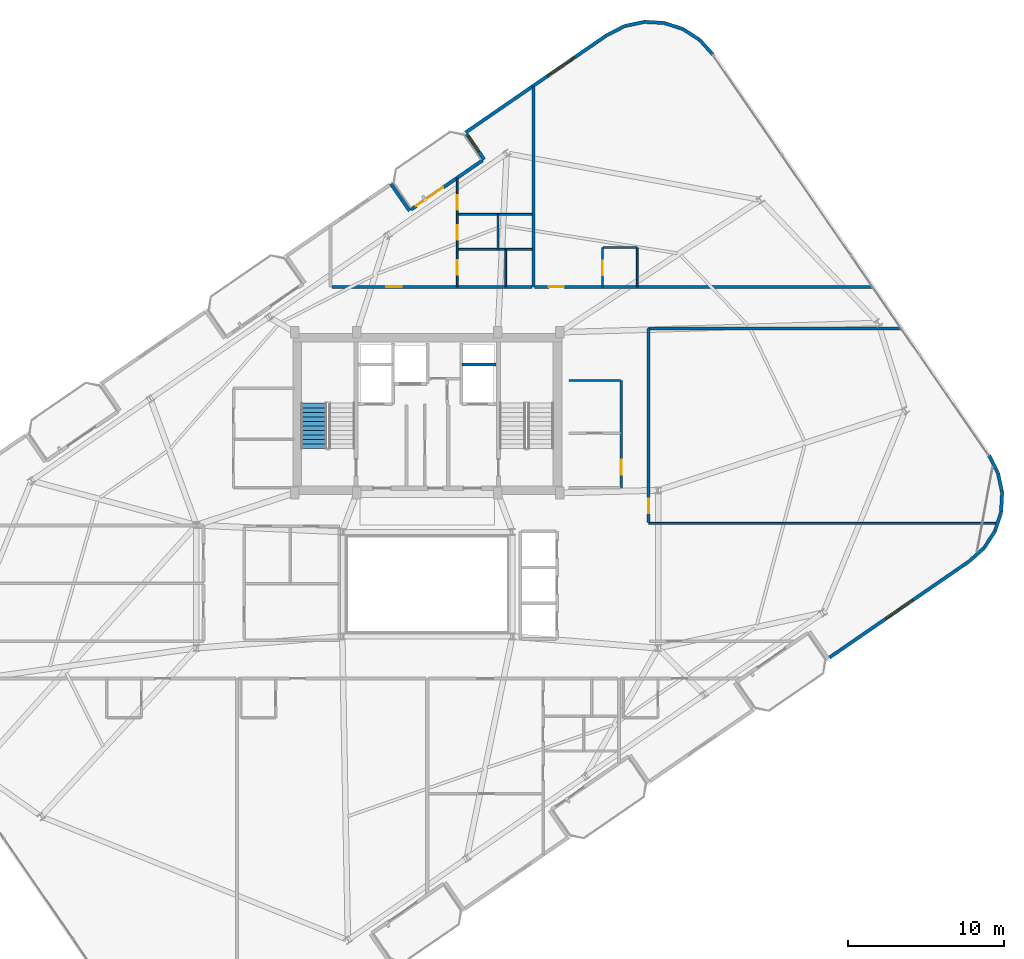
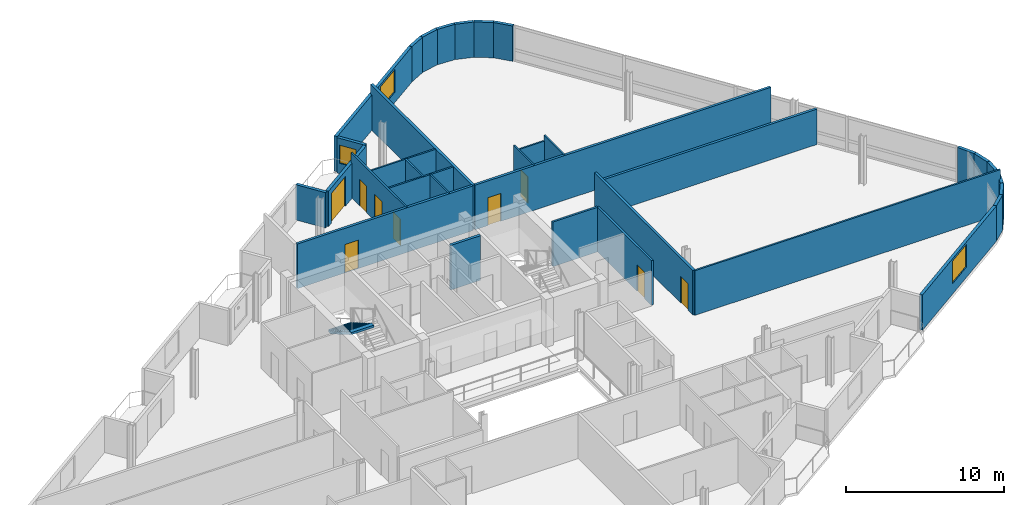
# One storey, part 19 of 23: 34 walls, 9 doors, 3 windows, 1 stair flight, 12 openings, 1 element without a shape of its own.
"""IFC4 building model written with IfcOpenShell, lengths in metres."""

from ifc_helpers import new_model, si_unit, direction, frame, frame_2d, origin, place, context, subcontext, project, spatial, polyline, rectangle, outline, extrude, material, layer, layer_set, type_object, element, fill, aggregate, save


model = new_model("IFC4")

# Units and contexts
model_context = context("Model", 3, precision=1e-05, world=origin(), true_north=direction((0.0, 1.0)))
body_context = subcontext(model_context, "Body", "Model", "MODEL_VIEW")
ifc_project = project(units=[si_unit("LENGTHUNIT", "METRE"), si_unit("AREAUNIT", "SQUARE_METRE"), si_unit("VOLUMEUNIT", "CUBIC_METRE"), si_unit("PLANEANGLEUNIT", "RADIAN"), si_unit("MASSUNIT", "GRAM", prefix="KILO")], contexts=[model_context])

# Site, building, storey
site_placement = place(None, origin())
site = spatial("IfcSite", under=ifc_project, at=site_placement, CompositionType="ELEMENT")
building_placement = place(site_placement, origin())
building = spatial("IfcBuilding", under=site, at=building_placement, Name="Varnelok Gate Tower", CompositionType="ELEMENT")
storey_placement = place(building_placement, frame((0.0, 0.0, 273.0)))
storey = spatial("IfcBuildingStorey", under=building, at=storey_placement, Name="L70", CompositionType="ELEMENT", Elevation=273.0)

# Wall, opening, door
ifc_material_1 = material(Name="Concrete C45/55", Category="concrete")
ifc_layer_1 = layer(ifc_material_1, 0.219970703125)
ifc_layer_set_1 = layer_set([ifc_layer_1], Name="Concrete C45/55")
wall_type_1 = type_object("IfcWallType", Name="EW-BALC-220", PredefinedType="SOLIDWALL", material=ifc_layer_set_1)
wall_1_placement = place(storey_placement, frame((38.15625, 46.91162109375, 0.0), z_axis=(0.0, 0.0, 1.0), x_axis=(0.823527178548, 0.567276816195, 0.0)))
wall_1 = element("IfcWall", 1, at=wall_1_placement, inside=storey, type_object=wall_type_1, Name="L70 North Terrace Envelope Wall 6", PredefinedType="SOLIDWALL", context=body_context, shape_type="SweptSolid", body=[
    extrude(rectangle(XDim=5.56689453125, YDim=0.219970703125, at=frame_2d((2.783447265625, 0.0))), origin(), (0.0, 0.0, 1.0), 2.72998046875),
])
opening_1_placement = place(wall_1_placement, frame((0.39990234375, 0.0, 0.0)))
opening_1 = element("IfcOpeningElement", 2, at=opening_1_placement, cuts=wall_1, Name="Opening BD-2", PredefinedType="OPENING", context=body_context, shape_type="SweptSolid", body=[
    extrude(rectangle(XDim=2.10009765625, YDim=2.300048828125, at=frame_2d((1.050048828125, 1.14990234375))), frame((0.0, 0.119873046875, 0.0), z_axis=(0.0, -1.0, 0.0), x_axis=(1.0, 0.0, 0.0)), (0.0, 0.0, 1.0), 0.239990234375),
])
ifc_material_2 = material(Name="Anodized Aluminum Alloy 6063-T6", Category="aluminium")
door_type_1 = type_object("IfcDoorType", Name="DR-EXT-SLID2100", OperationType="SLIDING_TO_LEFT", PredefinedType="DOOR", material=ifc_material_2)
door_1_placement = place(opening_1_placement, origin())
door_1 = element("IfcDoor", 3, at=door_1_placement, inside=storey, type_object=door_type_1, Name="L70 North Balcony Glazed Door 6", OperationType="SLIDING_TO_LEFT", OverallHeight=2.300048828125, OverallWidth=2.10009765625, PredefinedType="DOOR", context=body_context, shape_type="SweptSolid", body=[
    extrude(rectangle(XDim=2.10009765625, YDim=2.300048828125, at=frame_2d((1.050048828125, 1.14990234375))), frame((0.0, 0.02490234375, 0.0), z_axis=(0.0, -1.0, 0.0), x_axis=(1.0, 0.0, 0.0)), (0.0, 0.0, 1.0), 0.050048828125),
])
fill(opening_1, door_1)

# Wall, opening, window
wall_2_placement = place(storey_placement, frame((64.9921875, 18.197998046875, 0.0), z_axis=(0.0, 0.0, 1.0), x_axis=(0.823538117322, 0.56726093583, 0.0)))
wall_2 = element("IfcWall", 4, at=wall_2_placement, inside=storey, type_object=wall_type_1, Name="L70 Perimeter Facade Closure Wall 16", PredefinedType="SOLIDWALL", context=body_context, shape_type="SweptSolid", body=[
    extrude(rectangle(XDim=10.880126953125, YDim=0.219970703125, at=frame_2d((5.43994140625, 0.0))), origin(), (0.0, 0.0, 1.0), 2.72998046875),
])
opening_2_placement = place(wall_2_placement, frame((4.39013671875, 0.0, 0.800048828125)))
opening_2 = element("IfcOpeningElement", 5, at=opening_2_placement, cuts=wall_2, Name="Opening WN4", PredefinedType="OPENING", context=body_context, shape_type="SweptSolid", body=[
    extrude(rectangle(XDim=2.10009765625, YDim=1.75, at=frame_2d((1.050048828125, 0.875))), frame((0.0, 0.119873046875, 0.0), z_axis=(0.0, -1.0, 0.0), x_axis=(1.0, 0.0, 0.0)), (0.0, 0.0, 1.0), 0.239990234375),
])
ifc_material_3 = material(Name="Low-E Laminated Double Glazing IGU", Category="glass")
window_type_1 = type_object("IfcWindowType", Name="WN-SUI-2100", PartitioningType="SINGLE_PANEL", PredefinedType="WINDOW", material=ifc_material_3)
window_1_placement = place(opening_2_placement, origin())
window_1 = element("IfcWindow", 6, at=window_1_placement, inside=storey, type_object=window_type_1, Name="L70 Perimeter Vision Window 16", OverallHeight=1.75, OverallWidth=2.10009765625, PartitioningType="SINGLE_PANEL", PredefinedType="WINDOW", context=body_context, shape_type="SweptSolid", body=[
    extrude(rectangle(XDim=2.10009765625, YDim=1.75, at=frame_2d((1.050048828125, 0.875))), frame((0.0, 0.030029296875, 0.0), z_axis=(0.0, -1.0, 0.0), x_axis=(1.0, 0.0, 0.0)), (0.0, 0.0, 1.0), 0.06005859375),
])
fill(opening_2, window_1)

# Walls
wall_3_placement = place(storey_placement, frame((73.970947265625, 24.38671875, 0.0), z_axis=(0.0, 0.0, 1.0), x_axis=(0.742501517089, 0.669844382764, 0.0)))
element("IfcWall", 7, at=wall_3_placement, inside=storey, type_object=wall_type_1, Name="L70 Perimeter Facade Closure Wall 17", PredefinedType="SOLIDWALL", context=body_context, shape_type="SweptSolid", body=[
    extrude(rectangle(XDim=1.256591796875, YDim=0.219970703125, at=frame_2d((0.62841796875, 0.0))), origin(), (0.0, 0.0, 1.0), 2.72998046875),
])
wall_4_placement = place(storey_placement, frame((74.91748046875, 25.24951171875, 0.0), z_axis=(0.0, 0.0, 1.0), x_axis=(0.543778157277, 0.839229000731, 0.0)))
element("IfcWall", 8, at=wall_4_placement, inside=storey, type_object=wall_type_1, Name="L70 Perimeter Facade Closure Wall 18", PredefinedType="SOLIDWALL", context=body_context, shape_type="SweptSolid", body=[
    extrude(rectangle(XDim=1.24853515625, YDim=0.219970703125, at=frame_2d((0.624267578125, 0.0))), origin(), (0.0, 0.0, 1.0), 2.72998046875),
])
for number, where, z_axis, x_axis, name in (
    (9, (75.604248046875, 26.321044921875, 0.0), (0.0, 0.0, 1.0), (0.307945220076, 0.951404089455, 0.0), "L70 Perimeter Facade Closure Wall 19"),
    (10, (75.989990234375, 27.533935546875, 0.0), (0.0, 0.0, 1.0), (0.05141975041, 0.998677129641, 0.0), "L70 Perimeter Facade Closure Wall 20"),
    (11, (76.048828125, 28.805419921875, 0.0), (0.0, 0.0, 1.0), (-0.208808017511, 0.977956651301, 0.0), "L70 Perimeter Facade Closure Wall 21"),
    (12, (75.776611328125, 30.048828125, 0.0), (0.0, 0.0, 1.0), (-0.454938817534, 0.890522696118, 0.0), "L70 Perimeter Facade Closure Wall 22"),
):
    element("IfcWall", number, at=place(storey_placement, frame(where, z_axis=z_axis, x_axis=x_axis)), inside=storey, type_object=wall_type_1, Name=name, PredefinedType="SOLIDWALL", context=body_context, shape_type="SweptSolid", body=[
        extrude(rectangle(XDim=1.248779296875, YDim=0.219970703125, at=frame_2d((0.62451171875, 0.0))), origin(), (0.0, 0.0, 1.0), 2.72998046875),
    ])
wall_5_placement = place(storey_placement, frame((57.509765625, 56.85498046875, 0.0), z_axis=(0.0, 0.0, 1.0), x_axis=(-0.669853727156, 0.742493086982, 0.0)))
element("IfcWall", 13, at=wall_5_placement, inside=storey, type_object=wall_type_1, Name="L70 Perimeter Facade Closure Wall 23", PredefinedType="SOLIDWALL", context=body_context, shape_type="SweptSolid", body=[
    extrude(rectangle(XDim=1.27392578125, YDim=0.219970703125, at=frame_2d((0.636962890625, 0.0))), origin(), (0.0, 0.0, 1.0), 2.72998046875),
])
wall_6_placement = place(storey_placement, frame((56.635498046875, 57.814208984375, 0.0), z_axis=(0.0, 0.0, 1.0), x_axis=(-0.839229000731, 0.543778157277, 0.0)))
element("IfcWall", 14, at=wall_6_placement, inside=storey, type_object=wall_type_1, Name="L70 Perimeter Facade Closure Wall 24", PredefinedType="SOLIDWALL", context=body_context, shape_type="SweptSolid", body=[
    extrude(rectangle(XDim=1.24853515625, YDim=0.219970703125, at=frame_2d((0.624267578125, 0.0))), origin(), (0.0, 0.0, 1.0), 2.72998046875),
])
for number, where, z_axis, x_axis, name in (
    (15, (55.56396484375, 58.5009765625, 0.0), (0.0, 0.0, 1.0), (-0.951404089455, 0.307945220076, 0.0), "L70 Perimeter Facade Closure Wall 25"),
    (16, (54.35107421875, 58.88671875, 0.0), (0.0, 0.0, 1.0), (-0.998687150602, 0.051224752047, 0.0), "L70 Perimeter Facade Closure Wall 26"),
    (17, (53.07958984375, 58.945556640625, 0.0), (0.0, 0.0, 1.0), (-0.977956651301, -0.208808017511, 0.0), "L70 Perimeter Facade Closure Wall 27"),
):
    element("IfcWall", number, at=place(storey_placement, frame(where, z_axis=z_axis, x_axis=x_axis)), inside=storey, type_object=wall_type_1, Name=name, PredefinedType="SOLIDWALL", context=body_context, shape_type="SweptSolid", body=[
        extrude(rectangle(XDim=1.248779296875, YDim=0.219970703125, at=frame_2d((0.62451171875, 0.0))), origin(), (0.0, 0.0, 1.0), 2.72998046875),
    ])
wall_7_placement = place(storey_placement, frame((51.836181640625, 58.67333984375, 0.0), z_axis=(0.0, 0.0, 1.0), x_axis=(-0.890586847538, -0.454813222095, 0.0)))
element("IfcWall", 18, at=wall_7_placement, inside=storey, type_object=wall_type_1, Name="L70 Perimeter Facade Closure Wall 28", PredefinedType="SOLIDWALL", context=body_context, shape_type="SweptSolid", body=[
    extrude(rectangle(XDim=1.256591796875, YDim=0.219970703125, at=frame_2d((0.62841796875, 0.0))), origin(), (0.0, 0.0, 1.0), 2.72998046875),
])

# Wall, opening, window
wall_8_placement = place(storey_placement, frame((50.696533203125, 58.08740234375, 0.0), z_axis=(0.0, 0.0, 1.0), x_axis=(-0.823539455464, -0.567258993137, 0.0)))
wall_8 = element("IfcWall", 19, at=wall_8_placement, inside=storey, type_object=wall_type_1, Name="L70 Perimeter Facade Closure Wall 29", PredefinedType="SOLIDWALL", context=body_context, shape_type="SweptSolid", body=[
    extrude(rectangle(XDim=10.97998046875, YDim=0.219970703125, at=frame_2d((5.489990234375, 0.0))), origin(), (0.0, 0.0, 1.0), 2.72998046875),
])
opening_3_placement = place(wall_8_placement, frame((2.486328125, 0.0, 0.800048828125)))
opening_3 = element("IfcOpeningElement", 20, at=opening_3_placement, cuts=wall_8, Name="Opening WN4", PredefinedType="OPENING", context=body_context, shape_type="SweptSolid", body=[
    extrude(rectangle(XDim=2.10009765625, YDim=1.75, at=frame_2d((1.050048828125, 0.875))), frame((0.0, 0.119873046875, 0.0), z_axis=(0.0, -1.0, 0.0), x_axis=(1.0, 0.0, 0.0)), (0.0, 0.0, 1.0), 0.239990234375),
])
window_2_placement = place(opening_3_placement, origin())
window_2 = element("IfcWindow", 21, at=window_2_placement, inside=storey, type_object=window_type_1, Name="L70 Perimeter Vision Window 29", OverallHeight=1.75, OverallWidth=2.10009765625, PartitioningType="SINGLE_PANEL", PredefinedType="WINDOW", context=body_context, shape_type="SweptSolid", body=[
    extrude(rectangle(XDim=2.10009765625, YDim=1.75, at=frame_2d((1.050048828125, 0.875))), frame((0.0, 0.030029296875, 0.0), z_axis=(0.0, -1.0, 0.0), x_axis=(1.0, 0.0, 0.0)), (0.0, 0.0, 1.0), 0.06005859375),
])
fill(opening_3, window_2)

wall_9_placement = place(storey_placement, frame((41.724853515625, 51.755859375, 0.0), z_axis=(0.0, 0.0, 1.0), x_axis=(0.567273565974, -0.823529417415, 0.0)))
wall_9 = element("IfcWall", 22, at=wall_9_placement, inside=storey, type_object=wall_type_1, Name="L70 Perimeter Facade Closure Wall 30", PredefinedType="SOLIDWALL", context=body_context, shape_type="SweptSolid", body=[
    extrude(rectangle(XDim=1.97509765625, YDim=0.219970703125, at=frame_2d((0.987548828125, 0.0))), origin(), (0.0, 0.0, 1.0), 2.72998046875),
])
opening_4_placement = place(wall_9_placement, frame((0.199951171875, 0.0, 0.800048828125)))
opening_4 = element("IfcOpeningElement", 23, at=opening_4_placement, cuts=wall_9, Name="Opening WN8", PredefinedType="OPENING", context=body_context, shape_type="SweptSolid", body=[
    extrude(rectangle(XDim=1.14990234375, YDim=1.39990234375, at=frame_2d((0.574951171875, 0.699951171875))), frame((0.0, 0.119873046875, 0.0), z_axis=(0.0, -1.0, 0.0), x_axis=(1.0, 0.0, 0.0)), (0.0, 0.0, 1.0), 0.239990234375),
])
window_type_2 = type_object("IfcWindowType", Name="WN-BED-1150", PartitioningType="SINGLE_PANEL", PredefinedType="WINDOW", material=ifc_material_3)
window_3_placement = place(opening_4_placement, origin())
window_3 = element("IfcWindow", 24, at=window_3_placement, inside=storey, type_object=window_type_2, Name="L70 Bedroom Vision Window 50", OverallHeight=1.39990234375, OverallWidth=1.14990234375, PartitioningType="SINGLE_PANEL", PredefinedType="WINDOW", context=body_context, shape_type="SweptSolid", body=[
    extrude(rectangle(XDim=1.14990234375, YDim=1.39990234375, at=frame_2d((0.574951171875, 0.699951171875))), frame((0.0, 0.030029296875, 0.0), z_axis=(0.0, -1.0, 0.0), x_axis=(1.0, 0.0, 0.0)), (0.0, 0.0, 1.0), 0.06005859375),
])
fill(opening_4, window_3)

# Wall
wall_10_placement = place(storey_placement, frame((38.06298828125, 46.835205078125, 0.0), z_axis=(0.0, 0.0, 1.0), x_axis=(-0.567219383419, 0.823566737474, 0.0)))
element("IfcWall", 25, at=wall_10_placement, inside=storey, type_object=wall_type_1, Name="L70 Perimeter Facade Closure Wall 31", PredefinedType="SOLIDWALL", context=body_context, shape_type="SweptSolid", body=[
    extrude(rectangle(XDim=2.10009765625, YDim=0.219970703125, at=frame_2d((1.050048828125, 0.0))), origin(), (0.0, 0.0, 1.0), 2.72998046875),
])

# Wall, opening, door
ifc_material_4 = material(Name="Gypsum Plasterboard Acoustic Partition", Category="gypsum")
ifc_layer_2 = layer(ifc_material_4, 0.179931640625)
ifc_layer_set_2 = layer_set([ifc_layer_2], Name="Gypsum Plasterboard Acoustic Partition")
wall_type_2 = type_object("IfcWallType", Name="PW-CORR-180", PredefinedType="PARTITIONING", material=ifc_layer_set_2)
wall_11_placement = place(storey_placement, frame((33.080078125, 41.9599609375, 0.0), z_axis=(0.0, 0.0, 1.0), x_axis=(1.0, 0.0, 0.0)))
wall_11 = element("IfcWall", 26, at=wall_11_placement, inside=storey, type_object=wall_type_2, Name="Interior Partition", PredefinedType="PARTITIONING", context=body_context, shape_type="SweptSolid", body=[
    extrude(rectangle(XDim=12.83984375, YDim=0.179931640625, at=frame_2d((6.419921875, 0.0))), origin(), (0.0, 0.0, 1.0), 3.449951171875),
])
opening_5_placement = place(wall_11_placement, frame((3.485107421875, 0.0, 0.0)))
opening_5 = element("IfcOpeningElement", 27, at=opening_5_placement, cuts=wall_11, Name="Opening D-AP", PredefinedType="OPENING", context=body_context, shape_type="SweptSolid", body=[
    extrude(rectangle(XDim=1.0, YDim=2.199951171875, at=frame_2d((0.5, 1.10009765625))), frame((0.0, 0.099853515625, 0.0), z_axis=(0.0, -1.0, 0.0), x_axis=(1.0, 0.0, 0.0)), (0.0, 0.0, 1.0), 0.199951171875),
])
ifc_material_5 = material(Name="Engineered Hardwood Timber", Category="wood")
door_type_2 = type_object("IfcDoorType", Name="DR-APT-1000", OperationType="NOTDEFINED", PredefinedType="DOOR", material=ifc_material_5)
door_2_placement = place(opening_5_placement, origin())
door_2 = element("IfcDoor", 28, at=door_2_placement, inside=storey, type_object=door_type_2, Name="L70 North Apartment 6 Entrance Door", OperationType="SINGLE_SWING_RIGHT", OverallHeight=2.199951171875, OverallWidth=1.0, PredefinedType="DOOR", context=body_context, shape_type="SweptSolid", body=[
    extrude(rectangle(XDim=1.0, YDim=2.199951171875, at=frame_2d((0.5, 1.10009765625))), frame((0.0, 0.02490234375, 0.0), z_axis=(0.0, -1.0, 0.0), x_axis=(1.0, 0.0, 0.0)), (0.0, 0.0, 1.0), 0.050048828125),
])
fill(opening_5, door_2)

wall_12_placement = place(storey_placement, frame((46.080078125, 41.9599609375, 0.0), z_axis=(0.0, 0.0, 1.0), x_axis=(1.0, 0.0, 0.0)))
wall_12 = element("IfcWall", 29, at=wall_12_placement, inside=storey, type_object=wall_type_2, Name="Interior Partition", PredefinedType="PARTITIONING", context=body_context, shape_type="SweptSolid", body=[
    extrude(rectangle(XDim=21.626708984375, YDim=0.179931640625, at=frame_2d((10.8134765625, 0.0))), origin(), (0.0, 0.0, 1.0), 3.449951171875),
])
opening_6_placement = place(wall_12_placement, frame((0.921142578125, 0.0, 0.0)))
opening_6 = element("IfcOpeningElement", 30, at=opening_6_placement, cuts=wall_12, Name="Opening D-HT", PredefinedType="OPENING", context=body_context, shape_type="SweptSolid", body=[
    extrude(rectangle(XDim=0.949951171875, YDim=2.14990234375, at=frame_2d((0.47509765625, 1.074951171875))), frame((0.0, 0.099853515625, 0.0), z_axis=(0.0, -1.0, 0.0), x_axis=(1.0, 0.0, 0.0)), (0.0, 0.0, 1.0), 0.199951171875),
])
door_type_3 = type_object("IfcDoorType", Name="DR-HTL-950", OperationType="NOTDEFINED", PredefinedType="DOOR", material=ifc_material_5)
door_3_placement = place(opening_6_placement, origin())
door_3 = element("IfcDoor", 31, at=door_3_placement, inside=storey, type_object=door_type_3, Name="L70 Guest Room 07 Entrance Door", OperationType="SINGLE_SWING_RIGHT", OverallHeight=2.14990234375, OverallWidth=0.949951171875, PredefinedType="DOOR", context=body_context, shape_type="SweptSolid", body=[
    extrude(rectangle(XDim=0.949951171875, YDim=2.14990234375, at=frame_2d((0.47509765625, 1.074951171875))), frame((0.0, 0.02490234375, 0.0), z_axis=(0.0, -1.0, 0.0), x_axis=(1.0, 0.0, 0.0)), (0.0, 0.0, 1.0), 0.050048828125),
])
fill(opening_6, door_3)

wall_13_placement = place(storey_placement, frame((53.389892578125, 26.840087890625, 0.0), z_axis=(0.0, 0.0, 1.0), x_axis=(0.0, 1.0, 0.0)))
wall_13 = element("IfcWall", 32, at=wall_13_placement, inside=storey, type_object=wall_type_2, Name="Interior Partition", PredefinedType="PARTITIONING", context=body_context, shape_type="SweptSolid", body=[
    extrude(rectangle(XDim=12.4599609375, YDim=0.179931640625, at=frame_2d((6.22998046875, 0.0))), origin(), (0.0, 0.0, 1.0), 3.449951171875),
])
opening_7_placement = place(wall_13_placement, frame((0.6181640625, 0.0, 0.0)))
opening_7 = element("IfcOpeningElement", 33, at=opening_7_placement, cuts=wall_13, Name="Opening D-I3", PredefinedType="OPENING", context=body_context, shape_type="SweptSolid", body=[
    extrude(rectangle(XDim=0.919921875, YDim=2.050048828125, at=frame_2d((0.4599609375, 1.02490234375))), frame((0.0, 0.099853515625, 0.0), z_axis=(0.0, -1.0, 0.0), x_axis=(1.0, 0.0, 0.0)), (0.0, 0.0, 1.0), 0.199951171875),
])
door_type_4 = type_object("IfcDoorType", Name="DR-INT-920", OperationType="NOTDEFINED", PredefinedType="DOOR", material=ifc_material_5)
door_4_placement = place(opening_7_placement, origin())
door_4 = element("IfcDoor", 34, at=door_4_placement, inside=storey, type_object=door_type_4, Name="L70 East Playroom Door", OperationType="SINGLE_SWING_LEFT", OverallHeight=2.050048828125, OverallWidth=0.919921875, PredefinedType="DOOR", context=body_context, shape_type="SweptSolid", body=[
    extrude(rectangle(XDim=0.919921875, YDim=2.050048828125, at=frame_2d((0.4599609375, 1.02490234375))), frame((0.0, 0.02490234375, 0.0), z_axis=(0.0, -1.0, 0.0), x_axis=(1.0, 0.0, 0.0)), (0.0, 0.0, 1.0), 0.050048828125),
])
fill(opening_7, door_4)

# Walls
wall_14_placement = place(storey_placement, frame((53.389892578125, 39.300048828125, 0.0), z_axis=(0.0, 0.0, 1.0), x_axis=(1.0, 0.0, 0.0)))
element("IfcWall", 35, at=wall_14_placement, inside=storey, type_object=wall_type_2, Name="Interior Partition", PredefinedType="PARTITIONING", context=body_context, shape_type="SweptSolid", body=[
    extrude(rectangle(XDim=16.149169921875, YDim=0.179931640625, at=frame_2d((8.07470703125, 0.0))), origin(), (0.0, 0.0, 1.0), 2.739013671875),
])
ifc_layer_3 = layer(ifc_material_4, 0.114990234375)
ifc_layer_set_3 = layer_set([ifc_layer_3], Name="Gypsum Plasterboard Acoustic Partition")
wall_type_3 = type_object("IfcWallType", Name="PW-ENS-125", PredefinedType="PARTITIONING", material=ifc_layer_set_3)
wall_15_placement = place(storey_placement, frame((41.18994140625, 46.610107421875, 0.0), z_axis=(0.0, 0.0, 1.0), x_axis=(1.0, 0.0, 0.0)))
element("IfcWall", 36, at=wall_15_placement, inside=storey, type_object=wall_type_3, Name="Interior Partition", PredefinedType="PARTITIONING", context=body_context, shape_type="SweptSolid", body=[
    extrude(rectangle(XDim=4.72998046875, YDim=0.114990234375, at=frame_2d((2.364990234375, 0.0))), origin(), (0.0, 0.0, 1.0), 3.449951171875),
])
wall_16_placement = place(storey_placement, frame((43.72998046875, 44.3701171875, 0.0), z_axis=(0.0, 0.0, 1.0), x_axis=(0.0, 1.0, 0.0)))
element("IfcWall", 37, at=wall_16_placement, inside=storey, type_object=wall_type_3, Name="Interior Partition", PredefinedType="PARTITIONING", context=body_context, shape_type="SweptSolid", body=[
    extrude(rectangle(XDim=2.239990234375, YDim=0.114990234375, at=frame_2d((1.1201171875, 0.0))), origin(), (0.0, 0.0, 1.0), 3.449951171875),
])
wall_17_placement = place(storey_placement, frame((50.469970703125, 44.47998046875, 0.0), z_axis=(0.0, 0.0, 1.0), x_axis=(1.0, 0.0, 0.0)))
element("IfcWall", 38, at=wall_17_placement, inside=storey, type_object=wall_type_3, Name="Interior Partition", PredefinedType="PARTITIONING", context=body_context, shape_type="SweptSolid", body=[
    extrude(rectangle(XDim=2.150146484375, YDim=0.114990234375, at=frame_2d((1.0751953125, 0.0))), origin(), (0.0, 0.0, 1.0), 3.01806640625),
])

# Wall, opening, door
wall_18_placement = place(storey_placement, frame((50.429931640625, 41.9599609375, 0.0), z_axis=(0.0, 0.0, 1.0), x_axis=(0.0, 1.0, 0.0)))
wall_18 = element("IfcWall", 39, at=wall_18_placement, inside=storey, type_object=wall_type_3, Name="Interior Partition", PredefinedType="PARTITIONING", context=body_context, shape_type="SweptSolid", body=[
    extrude(rectangle(XDim=2.52001953125, YDim=0.114990234375, at=frame_2d((1.260009765625, 0.0))), origin(), (0.0, 0.0, 1.0), 3.449951171875),
])
opening_8_placement = place(wall_18_placement, frame((0.760009765625, 0.0, 0.0)))
opening_8 = element("IfcOpeningElement", 40, at=opening_8_placement, cuts=wall_18, Name="Opening D-WC", PredefinedType="OPENING", context=body_context, shape_type="SweptSolid", body=[
    extrude(rectangle(XDim=0.89990234375, YDim=2.050048828125, at=frame_2d((0.449951171875, 1.02490234375))), frame((0.0, 0.0673828125, 0.0), z_axis=(0.0, -1.0, 0.0), x_axis=(1.0, 0.0, 0.0)), (0.0, 0.0, 1.0), 0.135009765625),
])
door_type_5 = type_object("IfcDoorType", Name="DR-BATH-900", OperationType="NOTDEFINED", PredefinedType="DOOR", material=ifc_material_5)
door_5_placement = place(opening_8_placement, origin())
door_5 = element("IfcDoor", 41, at=door_5_placement, inside=storey, type_object=door_type_5, Name="L70 North En-Suite 07 Door", OperationType="SINGLE_SWING_LEFT", OverallHeight=2.050048828125, OverallWidth=0.89990234375, PredefinedType="DOOR", context=body_context, shape_type="SweptSolid", body=[
    extrude(rectangle(XDim=0.89990234375, YDim=2.050048828125, at=frame_2d((0.449951171875, 1.02490234375))), frame((0.0, 0.02490234375, 0.0), z_axis=(0.0, -1.0, 0.0), x_axis=(1.0, 0.0, 0.0)), (0.0, 0.0, 1.0), 0.050048828125),
])
fill(opening_8, door_5)

# Wall
wall_19_placement = place(storey_placement, frame((52.659912109375, 41.9599609375, 0.0), z_axis=(0.0, 0.0, 1.0), x_axis=(0.0, 1.0, 0.0)))
element("IfcWall", 42, at=wall_19_placement, inside=storey, type_object=wall_type_3, Name="Interior Partition", PredefinedType="PARTITIONING", context=body_context, shape_type="SweptSolid", body=[
    extrude(rectangle(XDim=2.52001953125, YDim=0.114990234375, at=frame_2d((1.260009765625, 0.0))), origin(), (0.0, 0.0, 1.0), 3.449951171875),
])

# Wall, openings, doors
ifc_layer_4 = layer(ifc_material_4, 0.125)
ifc_layer_set_4 = layer_set([ifc_layer_4], Name="Gypsum Plasterboard Acoustic Partition")
wall_type_4 = type_object("IfcWallType", Name="PW-PART-125", PredefinedType="PARTITIONING", material=ifc_layer_set_4)
wall_20_placement = place(storey_placement, frame((41.1201171875, 41.9599609375, 0.0), z_axis=(0.0, 0.0, 1.0), x_axis=(0.0, 1.0, 0.0)))
wall_20 = element("IfcWall", 43, at=wall_20_placement, inside=storey, type_object=wall_type_4, Name="Interior Partition", PredefinedType="PARTITIONING", context=body_context, shape_type="SweptSolid", body=[
    extrude(rectangle(XDim=6.956787109375, YDim=0.125, at=frame_2d((3.478515625, 0.0))), origin(), (0.0, 0.0, 1.0), 3.449951171875),
])
opening_9_placement = place(wall_20_placement, frame((0.785400390625, 0.0, 0.0)))
opening_9 = element("IfcOpeningElement", 44, at=opening_9_placement, cuts=wall_20, Name="Opening D-I3", PredefinedType="OPENING", context=body_context, shape_type="SweptSolid", body=[
    extrude(rectangle(XDim=0.919921875, YDim=2.050048828125, at=frame_2d((0.4599609375, 1.02490234375))), frame((0.0, 0.072509765625, 0.0), z_axis=(0.0, -1.0, 0.0), x_axis=(1.0, 0.0, 0.0)), (0.0, 0.0, 1.0), 0.14501953125),
])
opening_10_placement = place(wall_20_placement, frame((3.037353515625, 0.0, 0.0)))
opening_10 = element("IfcOpeningElement", 45, at=opening_10_placement, cuts=wall_20, Name="Opening D-WC", PredefinedType="OPENING", context=body_context, shape_type="SweptSolid", body=[
    extrude(rectangle(XDim=0.89990234375, YDim=2.050048828125, at=frame_2d((0.449951171875, 1.02490234375))), frame((0.0, 0.072509765625, 0.0), z_axis=(0.0, -1.0, 0.0), x_axis=(1.0, 0.0, 0.0)), (0.0, 0.0, 1.0), 0.14501953125),
])
opening_11_placement = place(wall_20_placement, frame((4.947509765625, 0.0, 0.0)))
opening_11 = element("IfcOpeningElement", 46, at=opening_11_placement, cuts=wall_20, Name="Opening D-I3", PredefinedType="OPENING", context=body_context, shape_type="SweptSolid", body=[
    extrude(rectangle(XDim=0.919921875, YDim=2.050048828125, at=frame_2d((0.4599609375, 1.02490234375))), frame((0.0, 0.072509765625, 0.0), z_axis=(0.0, -1.0, 0.0), x_axis=(1.0, 0.0, 0.0)), (0.0, 0.0, 1.0), 0.14501953125),
])
door_6_placement = place(opening_10_placement, origin())
door_6 = element("IfcDoor", 47, at=door_6_placement, inside=storey, type_object=door_type_5, Name="L70 North Apt 6 Bathroom Door", OperationType="SINGLE_SWING_RIGHT", OverallHeight=2.050048828125, OverallWidth=0.89990234375, PredefinedType="DOOR", context=body_context, shape_type="SweptSolid", body=[
    extrude(rectangle(XDim=0.89990234375, YDim=2.050048828125, at=frame_2d((0.449951171875, 1.02490234375))), frame((0.0, 0.02490234375, 0.0), z_axis=(0.0, -1.0, 0.0), x_axis=(1.0, 0.0, 0.0)), (0.0, 0.0, 1.0), 0.050048828125),
])
fill(opening_10, door_6)
door_7_placement = place(opening_9_placement, origin())
door_7 = element("IfcDoor", 48, at=door_7_placement, inside=storey, type_object=door_type_4, Name="L70 North Apt 6 Kitchen Door", OperationType="SINGLE_SWING_LEFT", OverallHeight=2.050048828125, OverallWidth=0.919921875, PredefinedType="DOOR", context=body_context, shape_type="SweptSolid", body=[
    extrude(rectangle(XDim=0.919921875, YDim=2.050048828125, at=frame_2d((0.4599609375, 1.02490234375))), frame((0.0, 0.02490234375, 0.0), z_axis=(0.0, -1.0, 0.0), x_axis=(1.0, 0.0, 0.0)), (0.0, 0.0, 1.0), 0.050048828125),
])
fill(opening_9, door_7)
door_8_placement = place(opening_11_placement, origin())
door_8 = element("IfcDoor", 49, at=door_8_placement, inside=storey, type_object=door_type_4, Name="L70 North Apt 6 Bedroom Door", OperationType="SINGLE_SWING_LEFT", OverallHeight=2.050048828125, OverallWidth=0.919921875, PredefinedType="DOOR", context=body_context, shape_type="SweptSolid", body=[
    extrude(rectangle(XDim=0.919921875, YDim=2.050048828125, at=frame_2d((0.4599609375, 1.02490234375))), frame((0.0, 0.02490234375, 0.0), z_axis=(0.0, -1.0, 0.0), x_axis=(1.0, 0.0, 0.0)), (0.0, 0.0, 1.0), 0.050048828125),
])
fill(opening_11, door_8)

# Walls
wall_21_placement = place(storey_placement, frame((41.18994140625, 44.3701171875, 0.0), z_axis=(0.0, 0.0, 1.0), x_axis=(1.0, 0.0, 0.0)))
element("IfcWall", 50, at=wall_21_placement, inside=storey, type_object=wall_type_4, Name="Interior Partition", PredefinedType="PARTITIONING", context=body_context, shape_type="SweptSolid", body=[
    extrude(rectangle(XDim=4.72998046875, YDim=0.125, at=frame_2d((2.364990234375, 0.0))), origin(), (0.0, 0.0, 1.0), 3.449951171875),
])
wall_22_placement = place(storey_placement, frame((44.22998046875, 41.9599609375, 0.0), z_axis=(0.0, 0.0, 1.0), x_axis=(0.0, 1.0, 0.0)))
element("IfcWall", 51, at=wall_22_placement, inside=storey, type_object=wall_type_4, Name="Interior Partition", PredefinedType="PARTITIONING", context=body_context, shape_type="SweptSolid", body=[
    extrude(rectangle(XDim=2.41015625, YDim=0.125, at=frame_2d((1.205078125, 0.0))), origin(), (0.0, 0.0, 1.0), 3.449951171875),
])
wall_23_placement = place(storey_placement, frame((53.389892578125, 26.800048828125, 0.0), z_axis=(0.0, 0.0, 1.0), x_axis=(1.0, 0.0, 0.0)))
element("IfcWall", 52, at=wall_23_placement, inside=storey, type_object=wall_type_4, Name="Interior Partition", PredefinedType="PARTITIONING", context=body_context, shape_type="SweptSolid", body=[
    extrude(rectangle(XDim=22.348388671875, YDim=0.125, at=frame_2d((11.17431640625, 0.0))), origin(), (0.0, 0.0, 1.0), 3.449951171875),
])
ifc_layer_5 = layer(ifc_material_4, 0.14990234375)
ifc_layer_set_5 = layer_set([ifc_layer_5], Name="Gypsum Plasterboard Acoustic Partition")
wall_type_5 = type_object("IfcWallType", Name="PW-PART-150", PredefinedType="PARTITIONING", material=ifc_layer_set_5)
wall_24_placement = place(storey_placement, frame((48.300048828125, 35.9599609375, 0.0), z_axis=(0.0, 0.0, 1.0), x_axis=(1.0, 0.0, 0.0)))
element("IfcWall", 53, at=wall_24_placement, inside=storey, type_object=wall_type_5, Name="Interior Partition", PredefinedType="PARTITIONING", context=body_context, shape_type="SweptSolid", body=[
    extrude(rectangle(XDim=3.280029296875, YDim=0.14990234375, at=frame_2d((1.64013671875, 0.0))), origin(), (0.0, 0.0, 1.0), 3.449951171875),
])

# Wall, opening, door
wall_25_placement = place(storey_placement, frame((51.639892578125, 29.080078125, 0.0), z_axis=(0.0, 0.0, 1.0), x_axis=(0.0, 1.0, 0.0)))
wall_25 = element("IfcWall", 54, at=wall_25_placement, inside=storey, type_object=wall_type_5, Name="Interior Partition", PredefinedType="PARTITIONING", context=body_context, shape_type="SweptSolid", body=[
    extrude(rectangle(XDim=6.8798828125, YDim=0.14990234375, at=frame_2d((3.43994140625, 0.0))), origin(), (0.0, 0.0, 1.0), 3.449951171875),
])
opening_12_placement = place(wall_25_placement, frame((0.85009765625, 0.0, 0.0)))
opening_12 = element("IfcOpeningElement", 55, at=opening_12_placement, cuts=wall_25, Name="Opening D-I2", PredefinedType="OPENING", context=body_context, shape_type="SweptSolid", body=[
    extrude(rectangle(XDim=0.949951171875, YDim=2.050048828125, at=frame_2d((0.47509765625, 1.02490234375))), frame((0.0, 0.0849609375, 0.0), z_axis=(0.0, -1.0, 0.0), x_axis=(1.0, 0.0, 0.0)), (0.0, 0.0, 1.0), 0.169921875),
])
door_type_6 = type_object("IfcDoorType", Name="DR-INT-950", OperationType="NOTDEFINED", PredefinedType="DOOR", material=ifc_material_5)
door_9_placement = place(opening_12_placement, origin())
door_9 = element("IfcDoor", 56, at=door_9_placement, inside=storey, type_object=door_type_6, Name="L70 Reclaimed Wine Storage Door", OperationType="SINGLE_SWING_RIGHT", OverallHeight=2.050048828125, OverallWidth=0.949951171875, PredefinedType="DOOR", context=body_context, shape_type="SweptSolid", body=[
    extrude(rectangle(XDim=0.949951171875, YDim=2.050048828125, at=frame_2d((0.47509765625, 1.02490234375))), frame((0.0, 0.02490234375, 0.0), z_axis=(0.0, -1.0, 0.0), x_axis=(1.0, 0.0, 0.0)), (0.0, 0.0, 1.0), 0.050048828125),
])
fill(opening_12, door_9)

# Walls
ifc_layer_6 = layer(ifc_material_4, 0.205078125)
ifc_layer_set_6 = layer_set([ifc_layer_6], Name="Gypsum Plasterboard Acoustic Partition")
wall_type_6 = type_object("IfcWallType", Name="PW-PARTY-200", PredefinedType="PARTITIONING", material=ifc_layer_set_6)
wall_26_placement = place(storey_placement, frame((46.0, 41.9599609375, 0.0), z_axis=(0.0, 0.0, 1.0), x_axis=(0.0, 1.0, 0.0)))
element("IfcWall", 57, at=wall_26_placement, inside=storey, type_object=wall_type_6, Name="L70 North Party Wall 2", PredefinedType="PARTITIONING", context=body_context, shape_type="SweptSolid", body=[
    extrude(rectangle(XDim=12.8681640625, YDim=0.205078125, at=frame_2d((6.43408203125, 0.0))), origin(), (0.0, 0.0, 1.0), 3.449951171875),
])
ifc_material_6 = material(Name="Concrete C35/45", Category="concrete")
ifc_layer_7 = layer(ifc_material_6, 0.199951171875)
ifc_layer_set_7 = layer_set([ifc_layer_7], Name="Concrete C35/45")
wall_type_7 = type_object("IfcWallType", Name="PW-SHAFT-200", PredefinedType="PARTITIONING", material=ifc_layer_set_7)
wall_27_placement = place(storey_placement, frame((41.419921875, 36.97998046875, 0.0), z_axis=(0.0, 0.0, 1.0), x_axis=(1.0, 0.0, 0.0)))
element("IfcWall", 58, at=wall_27_placement, inside=storey, type_object=wall_type_7, Name="L70 FF2 Shaft North Wall", PredefinedType="PARTITIONING", context=body_context, shape_type="SweptSolid", body=[
    extrude(rectangle(XDim=2.18017578125, YDim=0.199951171875, at=frame_2d((1.090087890625, 0.0))), origin(), (0.0, 0.0, 1.0), 3.449951171875),
])

# Stair, stair flight
ifc_material_7 = material(Name="Concrete C50/60", Category="concrete")
stair_type = type_object("IfcStairType", Name="STR-CORE-1650", PredefinedType="HALF_TURN_STAIR", material=ifc_material_7)
stair_placement = place(storey_placement, origin())
stair = element("IfcStair", 59, at=stair_placement, inside=storey, type_object=stair_type, Name="L70 Exit Stair ST-1", PredefinedType="HALF_TURN_STAIR")
stair_flight_type = type_object("IfcStairFlightType", Name="SFL-CORE-1650", PredefinedType="STRAIGHT", material=ifc_material_7)
stair_flight_placement = place(storey_placement, frame((31.925048828125, 34.5, 1.85009765625), z_axis=(0.0, 0.0, 1.0), x_axis=(0.0, -1.0, 0.0)))
stair_flight = element("IfcStairFlight", 60, at=stair_flight_placement, type_object=stair_flight_type, Name="ST-1 flight 2", NumberOfRisers=11, NumberOfTreads=10, PredefinedType="STRAIGHT", RiserHeight=0.168181818, TreadLength=0.29, context=body_context, shape_type="SweptSolid", body=[
    extrude(outline(polyline([(0.0, 0.0), (0.0, 0.168212890625), (0.2900390625, 0.168212890625), (0.2900390625, 0.33642578125), (0.580078125, 0.33642578125), (0.580078125, 0.504638671875), (0.8701171875, 0.504638671875), (0.8701171875, 0.672607421875), (1.159912109375, 0.672607421875), (1.159912109375, 0.8408203125), (1.449951171875, 0.8408203125), (1.449951171875, 1.009033203125), (1.739990234375, 1.009033203125), (1.739990234375, 1.17724609375), (2.030029296875, 1.17724609375), (2.030029296875, 1.345458984375), (2.320068359375, 1.345458984375), (2.320068359375, 1.513671875), (2.610107421875, 1.513671875), (2.610107421875, 1.681884765625), (2.89990234375, 1.681884765625), (2.89990234375, 1.85009765625), (2.89990234375, 1.508544921875), (0.298828125, 0.0), (0.0, 0.0)])), frame((0.0, 0.824951171875, 0.0), z_axis=(0.0, -1.0, 0.0), x_axis=(1.0, 0.0, 0.0)), (0.0, 0.0, 1.0), 1.64990234375),
])
aggregate(stair, [stair_flight])

save(model, "model.ifc")
